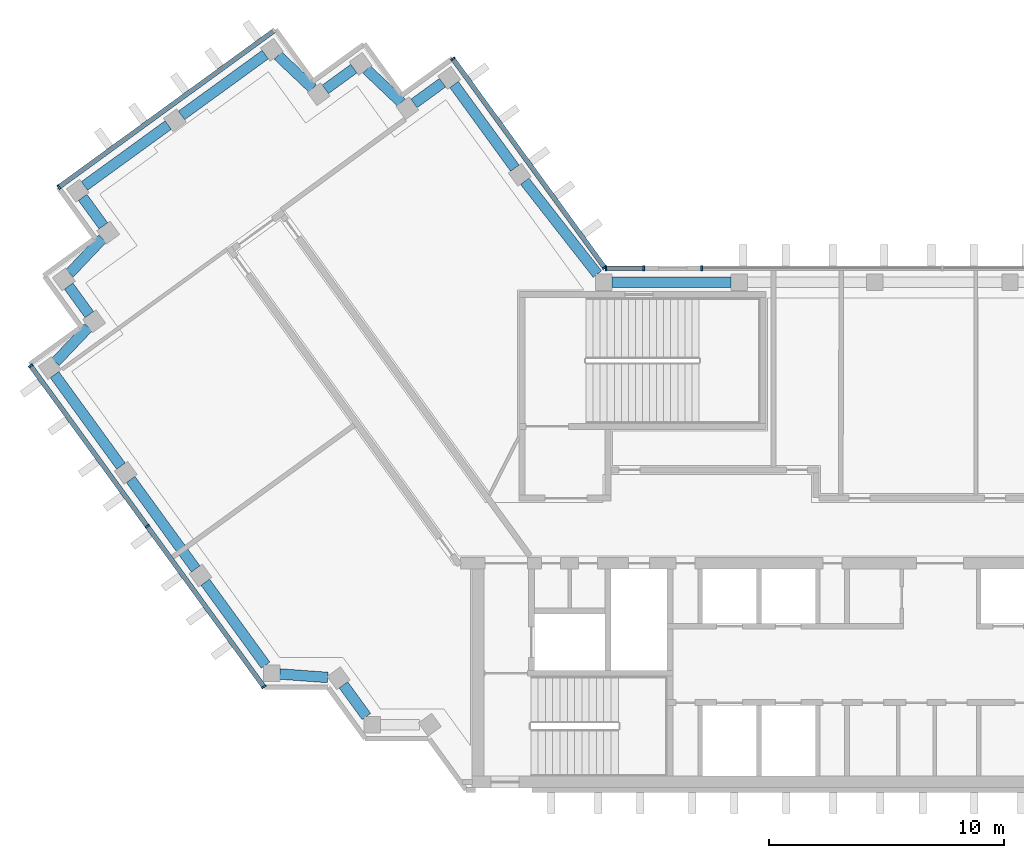
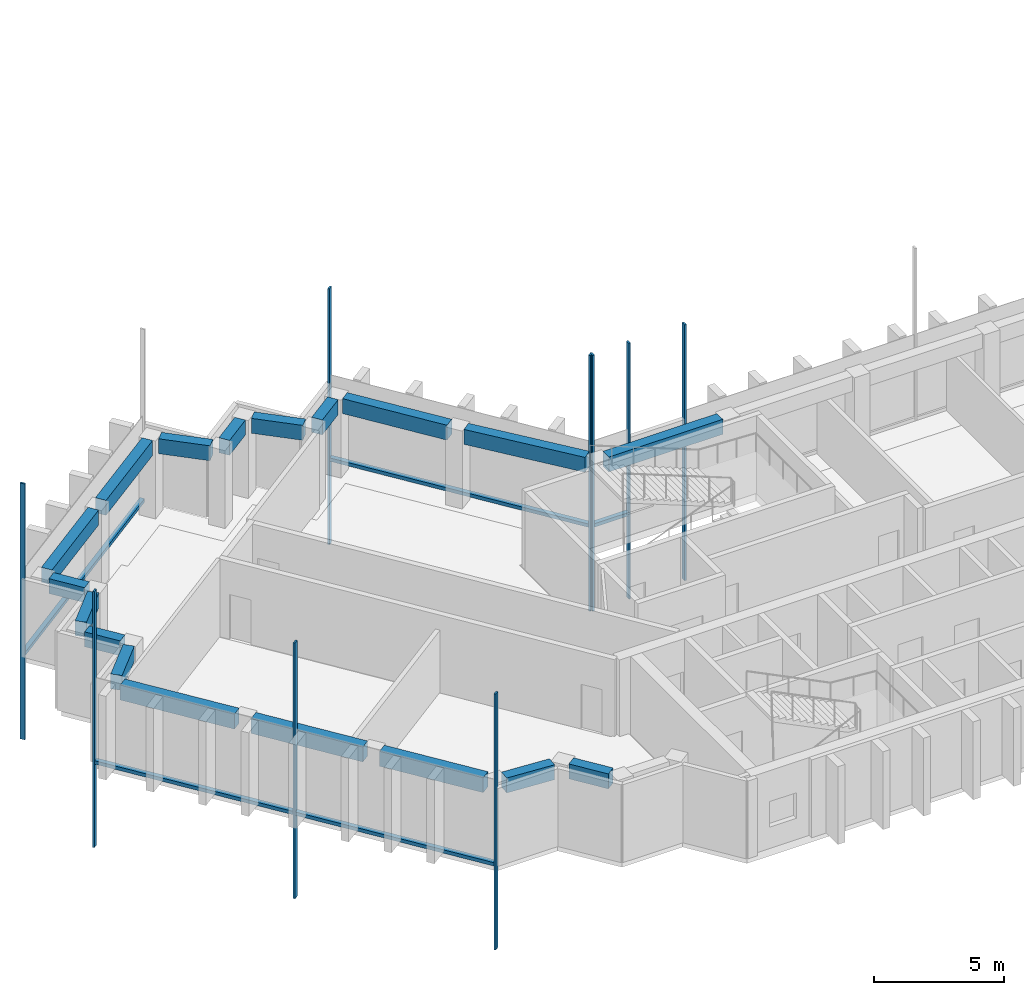
# One storey, part 2 of 14: 18 beams, 14 members, 5 elements without a shape of their own.
"""IFC4 building model written with IfcOpenShell, lengths in metres."""

from ifc_helpers import new_model, si_unit, direction, frame, origin, origin_2d, place, context, subcontext, project, spatial, rectangle, extrude, material, material_profile, profile_set, type_object, element, aggregate, save


model = new_model("IFC4")

# Units and contexts
model_context = context("Model", 3, precision=1e-05, world=origin(), true_north=direction((0.0, 1.0)))
body_context = subcontext(model_context, "Body", "Model", "MODEL_VIEW")
ifc_project = project(units=[si_unit("LENGTHUNIT", "METRE"), si_unit("AREAUNIT", "SQUARE_METRE"), si_unit("VOLUMEUNIT", "CUBIC_METRE"), si_unit("PLANEANGLEUNIT", "RADIAN"), si_unit("MASSUNIT", "GRAM", prefix="KILO")], contexts=[model_context])

# Site, building, storey
site_placement = place(None, origin())
site = spatial("IfcSite", under=ifc_project, at=site_placement, CompositionType="ELEMENT")
building_placement = place(site_placement, origin())
building = spatial("IfcBuilding", under=site, at=building_placement, Name="Quipu Civic Tower", CompositionType="ELEMENT")
storey_placement = place(building_placement, frame((0.0, 0.0, 335.0)))
storey = spatial("IfcBuildingStorey", under=building, at=storey_placement, Name="L78", CompositionType="ELEMENT", Elevation=335.0)

# Curtain wall, members
ifc_material_1 = material(Name="Insulated glass unit", Category="glass")
curtain_wall_type = type_object("IfcCurtainWallType", Name="Office curtain wall CW1", PredefinedType="NOTDEFINED", material=ifc_material_1)
curtain_wall_1_placement = place(storey_placement, origin())
curtain_wall_1 = element("IfcCurtainWall", 1, at=curtain_wall_1_placement, inside=storey, type_object=curtain_wall_type, Name="Office curtain wall CW1 L77 run 1", PredefinedType="NOTDEFINED")
ifc_material_2 = material(Name="Anodised aluminium", Category="aluminium")
ifc_material_profile_1 = material_profile(ifc_material_2, rectangle(XDim=0.199951171875, YDim=0.080078125, at=origin_2d()), Name="RECT 200x80")
ifc_profile_set_1 = profile_set([ifc_material_profile_1], Name="Anodised aluminium")
member_type_1 = type_object("IfcMemberType", Name="Mullion CW1", PredefinedType="MULLION", material=ifc_profile_set_1)
member_1_placement = place(storey_placement, frame((-14.36767578125, 11.13232421875, -3.919921875), z_axis=(0.0, 0.0, 1.0), x_axis=(-0.809015163947, -0.587787771652, 0.0)))
member_1 = element("IfcMember", 2, at=member_1_placement, type_object=member_type_1, Name="CW1 mullion 1", PredefinedType="MULLION", context=body_context, shape_type="SweptSolid", body=[
    extrude(rectangle(XDim=0.199951171875, YDim=0.080078125, at=origin_2d()), origin(), (0.0, 0.0, 1.0), 12.0),
])
member_2_placement = place(storey_placement, frame((-20.8125, 20.002685546875, -3.919921875), z_axis=(0.0, 0.0, 1.0), x_axis=(-0.809015163947, -0.587787771652, 0.0)))
member_2 = element("IfcMember", 3, at=member_2_placement, type_object=member_type_1, Name="CW1 mullion 2", PredefinedType="MULLION", context=body_context, shape_type="SweptSolid", body=[
    extrude(rectangle(XDim=0.199951171875, YDim=0.080078125, at=origin_2d()), origin(), (0.0, 0.0, 1.0), 12.0),
])

# Curtain wall, member
curtain_wall_2_placement = place(storey_placement, origin())
curtain_wall_2 = element("IfcCurtainWall", 4, at=curtain_wall_2_placement, inside=storey, type_object=curtain_wall_type, Name="Office curtain wall CW1 L77 run 6", PredefinedType="NOTDEFINED")
member_3_placement = place(storey_placement, frame((-37.569091796875, 14.552490234375, -3.919921875), z_axis=(0.0, 0.0, 1.0), x_axis=(0.587787753918, -0.809015176832, 0.0)))
member_3 = element("IfcMember", 5, at=member_3_placement, type_object=member_type_1, Name="CW1 mullion 2", PredefinedType="MULLION", context=body_context, shape_type="SweptSolid", body=[
    extrude(rectangle(XDim=0.199951171875, YDim=0.080078125, at=origin_2d()), origin(), (0.0, 0.0, 1.0), 12.0),
])

# Curtain wall, members
curtain_wall_3_placement = place(storey_placement, origin())
curtain_wall_3 = element("IfcCurtainWall", 6, at=curtain_wall_3_placement, inside=storey, type_object=curtain_wall_type, Name="Office curtain wall CW1 L77 run 11", PredefinedType="NOTDEFINED")
member_4_placement = place(storey_placement, frame((-38.772705078125, 6.953857421875, -3.919921875), z_axis=(0.0, 0.0, 1.0), x_axis=(0.809016278475, 0.587786237643, 0.0)))
member_4 = element("IfcMember", 7, at=member_4_placement, type_object=member_type_1, Name="CW1 mullion 1", PredefinedType="MULLION", context=body_context, shape_type="SweptSolid", body=[
    extrude(rectangle(XDim=0.199951171875, YDim=0.080078125, at=origin_2d()), origin(), (0.0, 0.0, 1.0), 12.0),
])
member_5_placement = place(storey_placement, frame((-33.81298828125, 0.12744140625, -3.919921875), z_axis=(0.0, 0.0, 1.0), x_axis=(0.809016278475, 0.587786237643, 0.0)))
member_5 = element("IfcMember", 8, at=member_5_placement, type_object=member_type_1, Name="CW1 mullion 2", PredefinedType="MULLION", context=body_context, shape_type="SweptSolid", body=[
    extrude(rectangle(XDim=0.199951171875, YDim=0.080078125, at=origin_2d()), origin(), (0.0, 0.0, 1.0), 12.0),
])
member_6_placement = place(storey_placement, frame((-28.853271484375, -6.698974609375, -3.919921875), z_axis=(0.0, 0.0, 1.0), x_axis=(0.809016278475, 0.587786237643, 0.0)))
member_6 = element("IfcMember", 9, at=member_6_placement, type_object=member_type_1, Name="CW1 mullion 3", PredefinedType="MULLION", context=body_context, shape_type="SweptSolid", body=[
    extrude(rectangle(XDim=0.199951171875, YDim=0.080078125, at=origin_2d()), origin(), (0.0, 0.0, 1.0), 12.0),
])

# Curtain wall, member
curtain_wall_4_placement = place(storey_placement, origin())
curtain_wall_4 = element("IfcCurtainWall", 10, at=curtain_wall_4_placement, inside=storey, type_object=curtain_wall_type, Name="Office curtain wall CW1 L77 run 29", PredefinedType="NOTDEFINED")
member_7_placement = place(storey_placement, frame((-10.223388671875, 11.10009765625, -3.919921875), z_axis=(0.0, 0.0, 1.0), x_axis=(0.0, -1.0, 0.0)))
member_7 = element("IfcMember", 11, at=member_7_placement, type_object=member_type_1, Name="CW1 mullion 3", PredefinedType="MULLION", context=body_context, shape_type="SweptSolid", body=[
    extrude(rectangle(XDim=0.199951171875, YDim=0.080078125, at=origin_2d()), origin(), (0.0, 0.0, 1.0), 12.0),
])
aggregate(curtain_wall_4, [member_7])

# Curtain wall, members
curtain_wall_5_placement = place(storey_placement, origin())
curtain_wall_5 = element("IfcCurtainWall", 12, at=curtain_wall_5_placement, inside=storey, type_object=curtain_wall_type, Name="Office curtain wall CW1 L77 run 31", PredefinedType="NOTDEFINED")
member_8_placement = place(storey_placement, frame((-12.695068359375, 11.10009765625, -3.919921875), z_axis=(0.0, 0.0, 1.0), x_axis=(0.0, -1.0, 0.0)))
member_8 = element("IfcMember", 13, at=member_8_placement, type_object=member_type_1, Name="CW1 mullion 1", PredefinedType="MULLION", context=body_context, shape_type="SweptSolid", body=[
    extrude(rectangle(XDim=0.199951171875, YDim=0.080078125, at=origin_2d()), origin(), (0.0, 0.0, 1.0), 12.0),
])
member_9_placement = place(storey_placement, frame((-14.30419921875, 11.10009765625, -3.919921875), z_axis=(0.0, 0.0, 1.0), x_axis=(0.0, -1.0, 0.0)))
member_9 = element("IfcMember", 14, at=member_9_placement, type_object=member_type_1, Name="CW1 mullion 2", PredefinedType="MULLION", context=body_context, shape_type="SweptSolid", body=[
    extrude(rectangle(XDim=0.199951171875, YDim=0.080078125, at=origin_2d()), origin(), (0.0, 0.0, 1.0), 12.0),
])

# Beams
ifc_material_3 = material(Name="Concrete C50/60", Category="concrete")
ifc_material_profile_2 = material_profile(ifc_material_3, rectangle(XDim=0.449951171875, YDim=0.699951171875, at=origin_2d()), Name="RC450x700")
ifc_profile_set_2 = profile_set([ifc_material_profile_2], Name="Concrete C50/60")
beam_type = type_object("IfcBeamType", Name="Spandrel beam RC 450x700 C50/60", PredefinedType="SPANDREL", material=ifc_profile_set_2)
beam_1_placement = place(storey_placement, frame((-18.179443359375, 15.358154296875, 3.300048828125), z_axis=(-0.588201428764, 0.808714460857, 0.0), x_axis=(-0.808714460857, -0.588201428764, 0.0)))
element("IfcBeam", 15, at=beam_1_placement, inside=storey, type_object=beam_type, Name="Spandrel beam L78 W-IN-01 to T-Wi.0-W22", PredefinedType="SPANDREL", context=body_context, shape_type="SweptSolid", body=[
    extrude(rectangle(XDim=0.449951171875, YDim=0.699951171875, at=origin_2d()), origin(), (0.0, 0.0, 1.0), 4.394287109375),
])
beam_2_placement = place(storey_placement, frame((-21.25341796875, 18.989501953125, 3.300048828125), z_axis=(-0.809461336076, -0.587173181776, 0.0), x_axis=(0.587173181776, -0.809461336076, 0.0)))
element("IfcBeam", 16, at=beam_2_placement, inside=storey, type_object=beam_type, Name="Spandrel beam L78 T-Wi.0-W22 to T-Wi.1-W22", PredefinedType="SPANDREL", context=body_context, shape_type="SweptSolid", body=[
    extrude(rectangle(XDim=0.449951171875, YDim=0.699951171875, at=origin_2d()), origin(), (0.0, 0.0, 1.0), 1.498046875),
])
beam_3_placement = place(storey_placement, frame((-23.00732421875, 18.1494140625, 3.300048828125), z_axis=(-0.72511931772, 0.6886232461, 0.0), x_axis=(-0.6886232461, -0.72511931772, 0.0)))
element("IfcBeam", 17, at=beam_3_placement, inside=storey, type_object=beam_type, Name="Spandrel beam L78 T-Wi.1-W22 to T-Wi.2-W22", PredefinedType="SPANDREL", context=body_context, shape_type="SweptSolid", body=[
    extrude(rectangle(XDim=0.449951171875, YDim=0.699951171875, at=origin_2d()), origin(), (0.0, 0.0, 1.0), 2.03369140625),
])
beam_4_placement = place(storey_placement, frame((-25.02294921875, 19.589111328125, 3.300048828125), z_axis=(-0.808644589435, -0.588297482553, 0.0), x_axis=(0.588297482553, -0.808644589435, 0.0)))
element("IfcBeam", 18, at=beam_4_placement, inside=storey, type_object=beam_type, Name="Spandrel beam L78 T-Wi.2-W22 to T-Wi.3-W22", PredefinedType="SPANDREL", context=body_context, shape_type="SweptSolid", body=[
    extrude(rectangle(XDim=0.449951171875, YDim=0.699951171875, at=origin_2d()), origin(), (0.0, 0.0, 1.0), 1.500244140625),
])
beam_5_placement = place(storey_placement, frame((-26.777099609375, 18.74560546875, 3.300048828125), z_axis=(-0.725359138958, 0.688370626574, 0.0), x_axis=(-0.688370626574, -0.725359138958, 0.0)))
element("IfcBeam", 19, at=beam_5_placement, inside=storey, type_object=beam_type, Name="Spandrel beam L78 T-Wi.3-W22 to T-Wi.4-W22", PredefinedType="SPANDREL", context=body_context, shape_type="SweptSolid", body=[
    extrude(rectangle(XDim=0.449951171875, YDim=0.699951171875, at=origin_2d()), origin(), (0.0, 0.0, 1.0), 2.032958984375),
])
beam_6_placement = place(storey_placement, frame((-28.793212890625, 20.184326171875, 3.300048828125), z_axis=(-0.809146152767, -0.587607439931, 0.0), x_axis=(0.587607439931, -0.809146152767, 0.0)))
element("IfcBeam", 20, at=beam_6_placement, inside=storey, type_object=beam_type, Name="Spandrel beam L78 T-Wi.4-W22 to TIP-W-01-W22", PredefinedType="SPANDREL", context=body_context, shape_type="SweptSolid", body=[
    extrude(rectangle(XDim=0.449951171875, YDim=0.699951171875, at=origin_2d()), origin(), (0.0, 0.0, 1.0), 4.400390625),
])
beam_7_placement = place(storey_placement, frame((-32.920166015625, 17.187255859375, 3.300048828125), z_axis=(-0.809117270763, -0.587647208921, 0.0), x_axis=(0.587647208921, -0.809117270763, 0.0)))
element("IfcBeam", 21, at=beam_7_placement, inside=storey, type_object=beam_type, Name="Spandrel beam L78 TIP-W-01-W22 to T-Wo.0-W22", PredefinedType="SPANDREL", context=body_context, shape_type="SweptSolid", body=[
    extrude(rectangle(XDim=0.449951171875, YDim=0.699951171875, at=origin_2d()), origin(), (0.0, 0.0, 1.0), 4.40185546875),
])
beam_8_placement = place(storey_placement, frame((-36.55908203125, 14.112060546875, 3.300048828125), z_axis=(0.588345920092, -0.808609348394, 0.0), x_axis=(0.808609348394, 0.588345920092, 0.0)))
element("IfcBeam", 22, at=beam_8_placement, inside=storey, type_object=beam_type, Name="Spandrel beam L78 T-Wo.0-W22 to T-Wo.1-W22", PredefinedType="SPANDREL", context=body_context, shape_type="SweptSolid", body=[
    extrude(rectangle(XDim=0.449951171875, YDim=0.699951171875, at=origin_2d()), origin(), (0.0, 0.0, 1.0), 1.499755859375),
])
beam_9_placement = place(storey_placement, frame((-35.7158203125, 12.358154296875, 3.300048828125), z_axis=(-0.688247466856, -0.725475998477, 0.0), x_axis=(0.725475998477, -0.688247466856, 0.0)))
element("IfcBeam", 23, at=beam_9_placement, inside=storey, type_object=beam_type, Name="Spandrel beam L78 T-Wo.1-W22 to T-Wo.2-W22", PredefinedType="SPANDREL", context=body_context, shape_type="SweptSolid", body=[
    extrude(rectangle(XDim=0.449951171875, YDim=0.699951171875, at=origin_2d()), origin(), (0.0, 0.0, 1.0), 2.032958984375),
])
beam_10_placement = place(storey_placement, frame((-37.154541015625, 10.341796875, 3.300048828125), z_axis=(0.587164895097, -0.809467347066, 0.0), x_axis=(0.809467347066, 0.587164895097, 0.0)))
element("IfcBeam", 24, at=beam_10_placement, inside=storey, type_object=beam_type, Name="Spandrel beam L78 T-Wo.2-W22 to T-Wo.3-W22", PredefinedType="SPANDREL", context=body_context, shape_type="SweptSolid", body=[
    extrude(rectangle(XDim=0.449951171875, YDim=0.699951171875, at=origin_2d()), origin(), (0.0, 0.0, 1.0), 1.500244140625),
])
beam_11_placement = place(storey_placement, frame((-36.3134765625, 8.586181640625, 3.300048828125), z_axis=(-0.689175330605, -0.724594620244, 0.0), x_axis=(0.724594620244, -0.689175330605, 0.0)))
element("IfcBeam", 25, at=beam_11_placement, inside=storey, type_object=beam_type, Name="Spandrel beam L78 T-Wo.3-W22 to T-Wo.4-W22", PredefinedType="SPANDREL", context=body_context, shape_type="SweptSolid", body=[
    extrude(rectangle(XDim=0.449951171875, YDim=0.699951171875, at=origin_2d()), origin(), (0.0, 0.0, 1.0), 2.033447265625),
])
beam_12_placement = place(storey_placement, frame((-37.754150390625, 6.57177734375, 3.300048828125), z_axis=(0.587905928359, -0.808929304328, 0.0), x_axis=(0.808929304328, 0.587905928359, 0.0)))
element("IfcBeam", 26, at=beam_12_placement, inside=storey, type_object=beam_type, Name="Spandrel beam L78 T-Wo.4-W22 to W-OUT-02", PredefinedType="SPANDREL", context=body_context, shape_type="SweptSolid", body=[
    extrude(rectangle(XDim=0.449951171875, YDim=0.699951171875, at=origin_2d()), origin(), (0.0, 0.0, 1.0), 4.80712890625),
])
beam_13_placement = place(storey_placement, frame((-34.5166015625, 2.116943359375, 3.300048828125), z_axis=(0.587788656305, -0.809014521204, 0.0), x_axis=(0.809014521204, 0.587788656305, 0.0)))
element("IfcBeam", 27, at=beam_13_placement, inside=storey, type_object=beam_type, Name="Spandrel beam L78 W-OUT-02 to W-OUT-01", PredefinedType="SPANDREL", context=body_context, shape_type="SweptSolid", body=[
    extrude(rectangle(XDim=0.449951171875, YDim=0.699951171875, at=origin_2d()), origin(), (0.0, 0.0, 1.0), 4.7001953125),
])
beam_14_placement = place(storey_placement, frame((-31.342529296875, -2.251953125, 3.300048828125), z_axis=(0.58777550284, -0.809024077677, 0.0), x_axis=(0.809024077677, 0.58777550284, 0.0)))
element("IfcBeam", 28, at=beam_14_placement, inside=storey, type_object=beam_type, Name="Spandrel beam L78 W-OUT-01 to J-Wo.0", PredefinedType="SPANDREL", context=body_context, shape_type="SweptSolid", body=[
    extrude(rectangle(XDim=0.449951171875, YDim=0.699951171875, at=origin_2d()), origin(), (0.0, 0.0, 1.0), 4.36083984375),
])
beam_15_placement = place(storey_placement, frame((-28.175048828125, -6.155517578125, 3.300048828125), z_axis=(0.99737333325, -0.072432272649, 0.0), x_axis=(0.072432272649, 0.99737333325, 0.0)))
element("IfcBeam", 29, at=beam_15_placement, inside=storey, type_object=beam_type, Name="Spandrel beam L78 J-Wo.0 to J-Wo.1", PredefinedType="SPANDREL", context=body_context, shape_type="SweptSolid", body=[
    extrude(rectangle(XDim=0.449951171875, YDim=0.699951171875, at=origin_2d()), origin(), (0.0, 0.0, 1.0), 2.04931640625),
])
beam_16_placement = place(storey_placement, frame((-25.468505859375, -6.6201171875, 3.300048828125), z_axis=(0.588407300614, -0.80856468423, 0.0), x_axis=(0.80856468423, 0.588407300614, 0.0)))
element("IfcBeam", 30, at=beam_16_placement, inside=storey, type_object=beam_type, Name="Spandrel beam L78 J-Wo.1 to J-Wo.2", PredefinedType="SPANDREL", context=body_context, shape_type="SweptSolid", body=[
    extrude(rectangle(XDim=0.449951171875, YDim=0.699951171875, at=origin_2d()), origin(), (0.0, 0.0, 1.0), 1.663330078125),
])
beam_17_placement = place(storey_placement, frame((-8.987060546875, 10.5, 3.300048828125), z_axis=(-1.0, 0.0, 0.0), x_axis=(0.0, -1.0, 0.0)))
element("IfcBeam", 31, at=beam_17_placement, inside=storey, type_object=beam_type, Name="Spandrel beam L78 FRONT-04 to J-Wi.0", PredefinedType="SPANDREL", context=body_context, shape_type="SweptSolid", body=[
    extrude(rectangle(XDim=0.449951171875, YDim=0.699951171875, at=origin_2d()), origin(), (0.0, 0.0, 1.0), 5.05810546875),
])
beam_18_placement = place(storey_placement, frame((-14.6689453125, 10.85009765625, 3.300048828125), z_axis=(-0.616106034519, 0.787663223865, 0.0), x_axis=(-0.787663223865, -0.616106034519, 0.0)))
element("IfcBeam", 32, at=beam_18_placement, inside=storey, type_object=beam_type, Name="Spandrel beam L78 J-Wi.0 to W-IN-01", PredefinedType="SPANDREL", context=body_context, shape_type="SweptSolid", body=[
    extrude(rectangle(XDim=0.449951171875, YDim=0.699951171875, at=origin_2d()), origin(), (0.0, 0.0, 1.0), 5.013427734375),
])

# Member
ifc_material_4 = material(Name="Anodised aluminium", Category="aluminium")
ifc_material_profile_3 = material_profile(ifc_material_4, rectangle(XDim=0.199951171875, YDim=0.159912109375, at=origin_2d()), Name="RECT 200x160")
ifc_profile_set_3 = profile_set([ifc_material_profile_3], Name="Anodised aluminium")
member_type_2 = type_object("IfcMemberType", Name="Transom CW1", PredefinedType="USERDEFINED", material=ifc_profile_set_3)
member_10_placement = place(storey_placement, frame((-14.39111328125, 11.164794921875, 0.080078125), z_axis=(-0.587796859727, 0.809008560953, 0.0), x_axis=(-0.809008560953, -0.587796859727, 0.0)))
member_10 = element("IfcMember", 33, at=member_10_placement, type_object=member_type_2, Name="CW1 transom 1.2", ObjectType="TRANSOM", PredefinedType="USERDEFINED", context=body_context, shape_type="SweptSolid", body=[
    extrude(rectangle(XDim=0.199951171875, YDim=0.159912109375, at=origin_2d()), origin(), (0.0, 0.0, 1.0), 10.88427734375),
])

aggregate(curtain_wall_1, [member_1, member_2, member_10])

member_11_placement = place(storey_placement, frame((-28.443359375, 21.1826171875, 0.080078125), z_axis=(-0.809022463805, -0.587777724194, 0.0), x_axis=(0.587777724194, -0.809022463805, 0.0)))
member_11 = element("IfcMember", 34, at=member_11_placement, type_object=member_type_2, Name="CW1 transom 1.2", ObjectType="TRANSOM", PredefinedType="USERDEFINED", context=body_context, shape_type="SweptSolid", body=[
    extrude(rectangle(XDim=0.199951171875, YDim=0.159912109375, at=origin_2d()), origin(), (0.0, 0.0, 1.0), 11.240234375),
])

aggregate(curtain_wall_2, [member_3, member_11])

member_12_placement = place(storey_placement, frame((-38.7490234375, 6.92138671875, 0.080078125), z_axis=(0.587779098815, -0.809021465102, 0.0), x_axis=(0.809021465102, 0.587779098815, 0.0)))
member_12 = element("IfcMember", 35, at=member_12_placement, type_object=member_type_2, Name="CW1 transom 1.2", ObjectType="TRANSOM", PredefinedType="USERDEFINED", context=body_context, shape_type="SweptSolid", body=[
    extrude(rectangle(XDim=0.199951171875, YDim=0.159912109375, at=origin_2d()), origin(), (0.0, 0.0, 1.0), 8.35791015625),
])

member_13_placement = place(storey_placement, frame((-33.78955078125, 0.094970703125, 0.080078125), z_axis=(0.587812107925, -0.808997481935, 0.0), x_axis=(0.808997481935, 0.587812107925, 0.0)))
member_13 = element("IfcMember", 36, at=member_13_placement, type_object=member_type_2, Name="CW1 transom 2.2", ObjectType="TRANSOM", PredefinedType="USERDEFINED", context=body_context, shape_type="SweptSolid", body=[
    extrude(rectangle(XDim=0.199951171875, YDim=0.159912109375, at=origin_2d()), origin(), (0.0, 0.0, 1.0), 8.35791015625),
])

aggregate(curtain_wall_3, [member_4, member_5, member_6, member_12, member_13])

member_14_placement = place(storey_placement, frame((-12.735107421875, 11.10009765625, 0.080078125), z_axis=(-1.0, 0.0, 0.0), x_axis=(0.0, -1.0, 0.0)))
member_14 = element("IfcMember", 37, at=member_14_placement, type_object=member_type_2, Name="CW1 transom 1.2", ObjectType="TRANSOM", PredefinedType="USERDEFINED", context=body_context, shape_type="SweptSolid", body=[
    extrude(rectangle(XDim=0.199951171875, YDim=0.159912109375, at=origin_2d()), origin(), (0.0, 0.0, 1.0), 1.529052734375),
])

aggregate(curtain_wall_5, [member_8, member_9, member_14])

save(model, "model.ifc")
